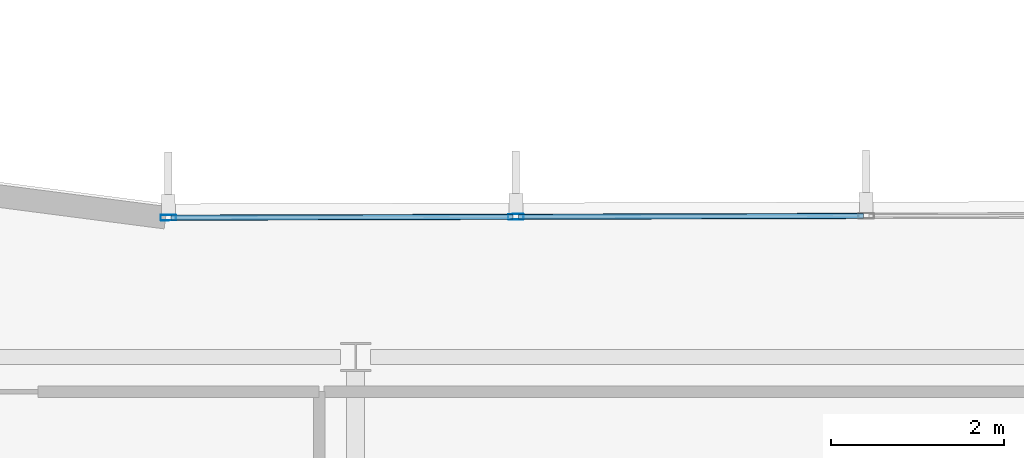
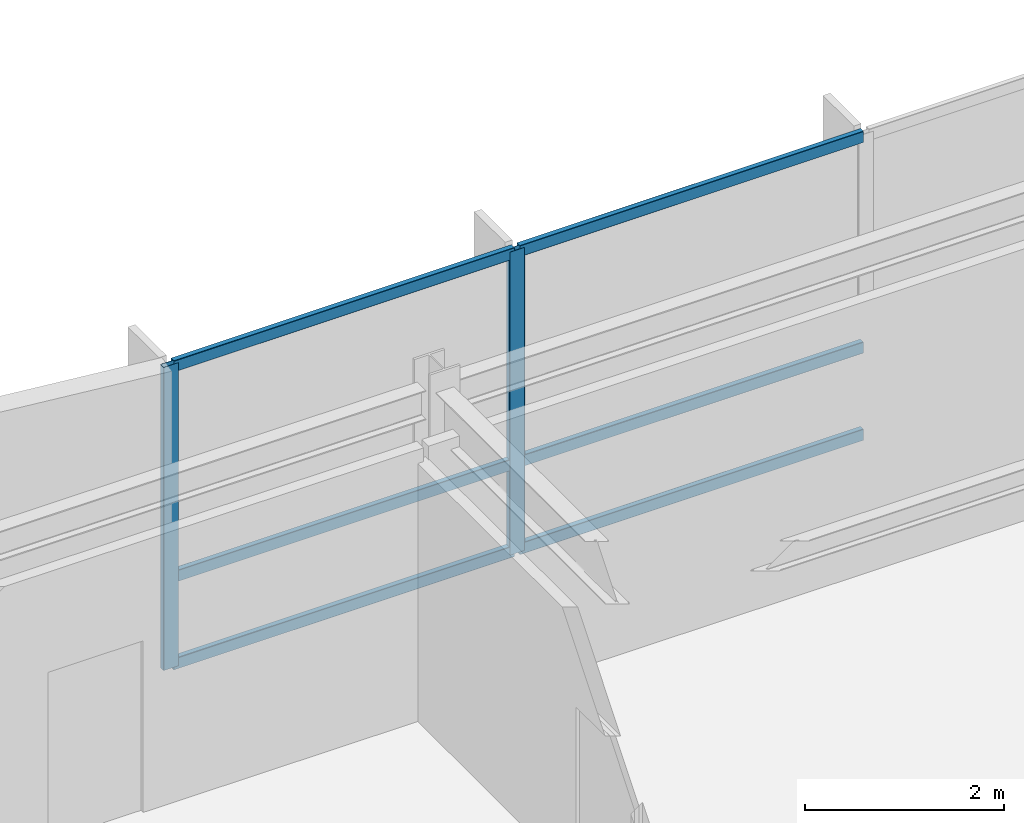
# One storey, part 10 of 19: 8 members, 1 element without a shape of its own.
"""IFC4 building model written with IfcOpenShell, lengths in metres."""

from ifc_helpers import new_model, si_unit, direction, frame, origin, origin_2d, place, context, subcontext, project, spatial, hollow_rectangle, extrude, material, layer, layer_set, material_profile, profile_set, type_object, element, aggregate, save


model = new_model("IFC4")

# Units and contexts
model_context = context("Model", 3, precision=1e-05, world=origin(), true_north=direction((0.0, 1.0)))
body_context = subcontext(model_context, "Body", "Model", "MODEL_VIEW")
ifc_project = project(units=[si_unit("LENGTHUNIT", "METRE"), si_unit("AREAUNIT", "SQUARE_METRE"), si_unit("VOLUMEUNIT", "CUBIC_METRE"), si_unit("PLANEANGLEUNIT", "RADIAN"), si_unit("MASSUNIT", "GRAM", prefix="KILO")], contexts=[model_context])

# Site, building, storey
site_placement = place(None, origin())
site = spatial("IfcSite", under=ifc_project, at=site_placement, CompositionType="ELEMENT")
building_placement = place(site_placement, origin())
building = spatial("IfcBuilding", under=site, at=building_placement, Name="Varnakote Quay Hospital", CompositionType="ELEMENT")
storey_placement = place(building_placement, frame((0.0, 0.0, 240.75)))
storey = spatial("IfcBuildingStorey", under=building, at=storey_placement, Name="L59", CompositionType="ELEMENT", Elevation=240.75)

# Curtain wall, members
ifc_material_1 = material(Name="Anodised aluminium 6063-T6 Bronze", Category="aluminium")
ifc_layer = layer(ifc_material_1, 0.235107421875)
ifc_layer_set = layer_set([ifc_layer], Name="Anodised aluminium 6063-T6 Bronze")
curtain_wall_type = type_object("IfcCurtainWallType", Name="CW-SYS-5", PredefinedType="NOTDEFINED", material=ifc_layer_set)
curtain_wall_placement = place(storey_placement, origin())
curtain_wall = element("IfcCurtainWall", 1, at=curtain_wall_placement, inside=storey, type_object=curtain_wall_type, Name="L59 Unitised Bronze Curtain Wall 2", PredefinedType="NOTDEFINED")
ifc_material_2 = material(Name="Anodised aluminium 6063-T6 Bronze", Category="aluminium")
ifc_material_profile_1 = material_profile(ifc_material_2, hollow_rectangle(XDim=0.06494140625, YDim=0.179931640625, WallThickness=0.00390625, InnerFilletRadius=0.00390625, OuterFilletRadius=0.008056640625, at=origin_2d()), Name="CW-MULL-180x65")
ifc_profile_set_1 = profile_set([ifc_material_profile_1], Name="Anodised aluminium 6063-T6 Bronze")
member_type_1 = type_object("IfcMemberType", Name="CW-MULL-180x65", PredefinedType="MULLION", material=ifc_profile_set_1)
member_1_placement = place(storey_placement, frame((35.45068359375, 30.41845703125, 0.0), z_axis=(0.0, 0.0, 1.0), x_axis=(0.002604222224, -0.999996609008, 0.0)))
member_1 = element("IfcMember", 2, at=member_1_placement, type_object=member_type_1, Name="-5-L59-2 mullion 3", PredefinedType="MULLION", context=body_context, shape_type="SweptSolid", body=[
    extrude(hollow_rectangle(XDim=0.06494140625, YDim=0.179931640625, WallThickness=0.00390625, InnerFilletRadius=0.00390625, OuterFilletRadius=0.008056640625, at=origin_2d()), origin(), (0.0, 0.0, 1.0), 3.7099609375),
])
member_2_placement = place(storey_placement, frame((31.4384765625, 30.408203125, 0.0), z_axis=(0.0, 0.0, 1.0), x_axis=(0.002604222224, -0.999996609008, 0.0)))
member_2 = element("IfcMember", 3, at=member_2_placement, type_object=member_type_1, Name="-5-L59-2 mullion 4", PredefinedType="MULLION", context=body_context, shape_type="SweptSolid", body=[
    extrude(hollow_rectangle(XDim=0.06494140625, YDim=0.179931640625, WallThickness=0.00390625, InnerFilletRadius=0.00390625, OuterFilletRadius=0.008056640625, at=origin_2d()), origin(), (0.0, 0.0, 1.0), 3.7099609375),
])
ifc_material_3 = material(Name="Anodised aluminium 6063-T6 Bronze", Category="aluminium")
ifc_material_profile_2 = material_profile(ifc_material_3, hollow_rectangle(XDim=0.06494140625, YDim=0.139892578125, WallThickness=0.00390625, InnerFilletRadius=0.00390625, OuterFilletRadius=0.007568359375, at=origin_2d()), Name="CW-TRAN-140x65")
ifc_profile_set_2 = profile_set([ifc_material_profile_2], Name="Anodised aluminium 6063-T6 Bronze")
member_type_2 = type_object("IfcMemberType", Name="CW-TRAN-140x65", PredefinedType="USERDEFINED", material=ifc_profile_set_2)
member_3_placement = place(storey_placement, frame((39.462890625, 30.428955078125, 0.032470703125), z_axis=(-0.999996680766, -0.002576520495, 0.0), x_axis=(0.002576520495, -0.999996680766, 0.0)))
member_3 = element("IfcMember", 4, at=member_3_placement, type_object=member_type_2, Name="-5-L59-2 transom 2.1", ObjectType="TRANSOM", PredefinedType="USERDEFINED", context=body_context, shape_type="SweptSolid", body=[
    extrude(hollow_rectangle(XDim=0.06494140625, YDim=0.139892578125, WallThickness=0.00390625, InnerFilletRadius=0.00390625, OuterFilletRadius=0.007568359375, at=origin_2d()), origin(), (0.0, 0.0, 1.0), 3.979736328125),
])
member_4_placement = place(storey_placement, frame((39.462890625, 30.428955078125, 1.10009765625), z_axis=(-0.999996680766, -0.002576520495, 0.0), x_axis=(0.002576520495, -0.999996680766, 0.0)))
member_4 = element("IfcMember", 5, at=member_4_placement, type_object=member_type_2, Name="-5-L59-2 transom 2.2", ObjectType="TRANSOM", PredefinedType="USERDEFINED", context=body_context, shape_type="SweptSolid", body=[
    extrude(hollow_rectangle(XDim=0.06494140625, YDim=0.139892578125, WallThickness=0.00390625, InnerFilletRadius=0.00390625, OuterFilletRadius=0.007568359375, at=origin_2d()), origin(), (0.0, 0.0, 1.0), 3.979736328125),
])
member_5_placement = place(storey_placement, frame((39.462890625, 30.428955078125, 3.677490234375), z_axis=(-0.999996680766, -0.002576520495, 0.0), x_axis=(0.002576520495, -0.999996680766, 0.0)))
member_5 = element("IfcMember", 6, at=member_5_placement, type_object=member_type_2, Name="-5-L59-2 transom 2.3", ObjectType="TRANSOM", PredefinedType="USERDEFINED", context=body_context, shape_type="SweptSolid", body=[
    extrude(hollow_rectangle(XDim=0.06494140625, YDim=0.139892578125, WallThickness=0.00390625, InnerFilletRadius=0.00390625, OuterFilletRadius=0.007568359375, at=origin_2d()), origin(), (0.0, 0.0, 1.0), 3.979736328125),
])
member_6_placement = place(storey_placement, frame((35.418212890625, 30.41845703125, 0.032470703125), z_axis=(-0.999996625932, -0.002597715134, 0.0), x_axis=(0.002597715134, -0.999996625932, 0.0)))
member_6 = element("IfcMember", 7, at=member_6_placement, type_object=member_type_2, Name="-5-L59-2 transom 3.1", ObjectType="TRANSOM", PredefinedType="USERDEFINED", context=body_context, shape_type="SweptSolid", body=[
    extrude(hollow_rectangle(XDim=0.06494140625, YDim=0.139892578125, WallThickness=0.00390625, InnerFilletRadius=0.00390625, OuterFilletRadius=0.007568359375, at=origin_2d()), origin(), (0.0, 0.0, 1.0), 3.947265625),
])
member_7_placement = place(storey_placement, frame((35.418212890625, 30.41845703125, 1.10009765625), z_axis=(-0.999996625932, -0.002597715134, 0.0), x_axis=(0.002597715134, -0.999996625932, 0.0)))
member_7 = element("IfcMember", 8, at=member_7_placement, type_object=member_type_2, Name="-5-L59-2 transom 3.2", ObjectType="TRANSOM", PredefinedType="USERDEFINED", context=body_context, shape_type="SweptSolid", body=[
    extrude(hollow_rectangle(XDim=0.06494140625, YDim=0.139892578125, WallThickness=0.00390625, InnerFilletRadius=0.00390625, OuterFilletRadius=0.007568359375, at=origin_2d()), origin(), (0.0, 0.0, 1.0), 3.947265625),
])
member_8_placement = place(storey_placement, frame((35.418212890625, 30.41845703125, 3.677490234375), z_axis=(-0.999996625932, -0.002597715134, 0.0), x_axis=(0.002597715134, -0.999996625932, 0.0)))
member_8 = element("IfcMember", 9, at=member_8_placement, type_object=member_type_2, Name="-5-L59-2 transom 3.3", ObjectType="TRANSOM", PredefinedType="USERDEFINED", context=body_context, shape_type="SweptSolid", body=[
    extrude(hollow_rectangle(XDim=0.06494140625, YDim=0.139892578125, WallThickness=0.00390625, InnerFilletRadius=0.00390625, OuterFilletRadius=0.007568359375, at=origin_2d()), origin(), (0.0, 0.0, 1.0), 3.947265625),
])
aggregate(curtain_wall, [member_1, member_2, member_3, member_4, member_5, member_6, member_7, member_8])

save(model, "model.ifc")
